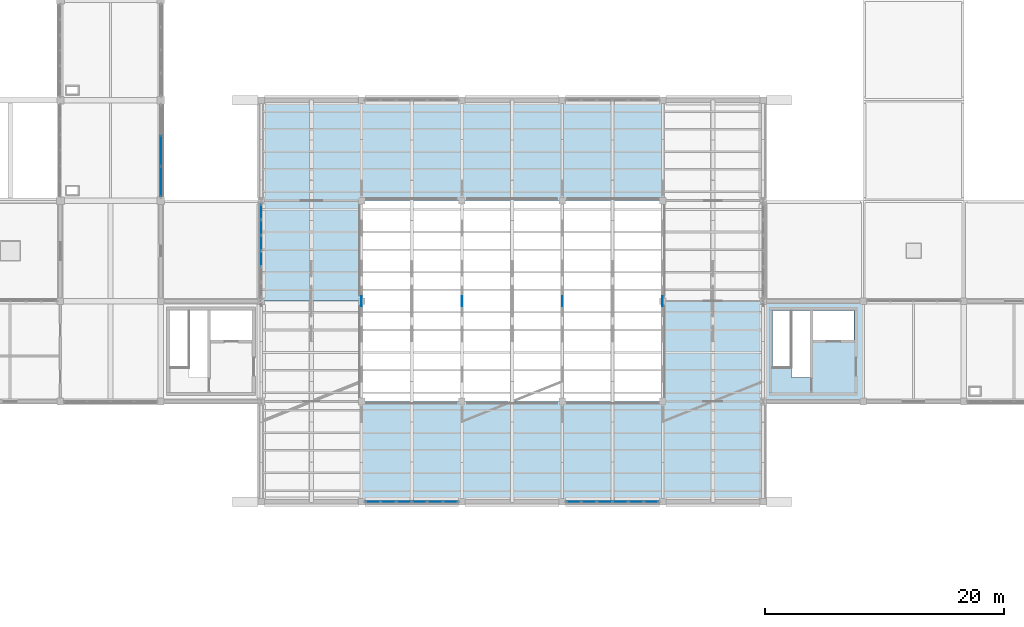
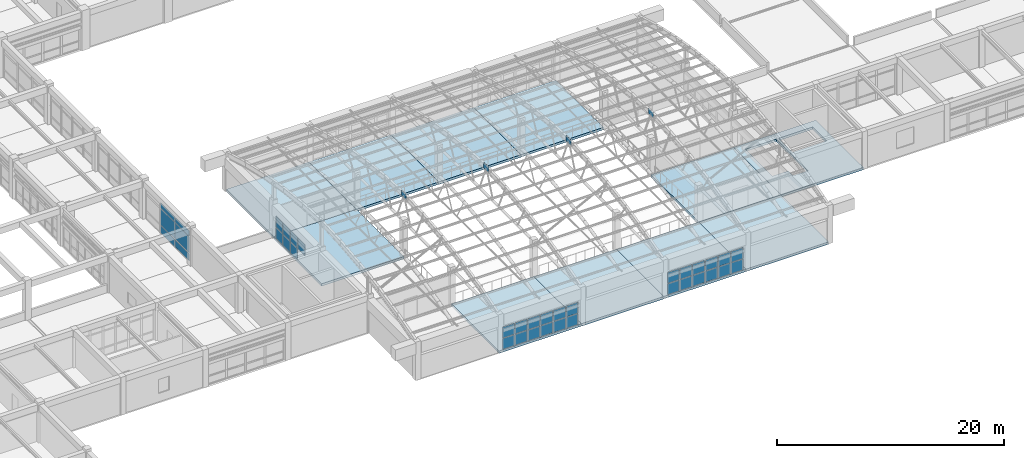
# One storey, part 49 of 74: 41 plates, 11 slabs, 4 elements without a shape of their own.
"""IFC4 building model written with IfcOpenShell, lengths in metres."""

from ifc_helpers import new_model, si_unit, direction, frame, origin, origin_2d, place, context, subcontext, project, spatial, polyline, rectangle, outline, extrude, material, layer, layer_set, type_object, element, aggregate, save


model = new_model("IFC4")

# Units and contexts
model_context = context("Model", 3, precision=1e-05, world=origin(), true_north=direction((0.0, 1.0)))
body_context = subcontext(model_context, "Body", "Model", "MODEL_VIEW")
ifc_project = project(units=[si_unit("LENGTHUNIT", "METRE"), si_unit("AREAUNIT", "SQUARE_METRE"), si_unit("VOLUMEUNIT", "CUBIC_METRE"), si_unit("PLANEANGLEUNIT", "RADIAN"), si_unit("MASSUNIT", "GRAM", prefix="KILO")], contexts=[model_context])

# Site, building, storey
site_placement = place(None, origin())
site = spatial("IfcSite", under=ifc_project, at=site_placement, CompositionType="ELEMENT")
building_placement = place(site_placement, origin())
building = spatial("IfcBuilding", under=site, at=building_placement, Name="Porcellanite Civic Hall", CompositionType="ELEMENT")
storey_placement = place(building_placement, frame((0.0, 0.0, 14.760009765625)))
storey = spatial("IfcBuildingStorey", under=building, at=storey_placement, Name="L03", CompositionType="ELEMENT", Elevation=14.760009765625)

# Curtain wall, plates
ifc_material_1 = material(Name="Anodised aluminium and solar laminated glass", Category="aluminium")
ifc_layer_1 = layer(ifc_material_1, 0.179931640625)
ifc_layer_set_1 = layer_set([ifc_layer_1], Name="Anodised aluminium and solar laminated glass")
curtain_wall_type_1 = type_object("IfcCurtainWallType", Name="CW-SYS01", PredefinedType="NOTDEFINED", material=ifc_layer_set_1)
curtain_wall_1_placement = place(storey_placement, origin())
curtain_wall_1 = element("IfcCurtainWall", 1, at=curtain_wall_1_placement, inside=storey, type_object=curtain_wall_type_1, Name="Curtain wall CW-206", PredefinedType="NOTDEFINED")
ifc_material_2 = material(Name="Cyclone laminated solar-control low-E glass", Category="glass")
ifc_layer_2 = layer(ifc_material_2, 0.02392578125)
ifc_layer_set_2 = layer_set([ifc_layer_2], Name="Cyclone laminated solar-control low-E glass")
plate_type_1 = type_object("IfcPlateType", Name="CWP-01", PredefinedType="CURTAIN_PANEL", material=ifc_layer_set_2)
plate_1_placement = place(storey_placement, frame((67.199951171875, 62.345947265625, 1.294921875), z_axis=(0.0, 0.0, 1.0), x_axis=(0.0, 1.0, 0.0)))
plate_1 = element("IfcPlate", 2, at=plate_1_placement, type_object=plate_type_1, Name="CW-206 panel 3.2", PredefinedType="CURTAIN_PANEL", context=body_context, shape_type="SweptSolid", body=[
    extrude(rectangle(XDim=1.22802734375, YDim=0.02392578125, at=origin_2d()), origin(), (0.0, 0.0, 1.0), 1.155029296875),
])
plate_2_placement = place(storey_placement, frame((67.199951171875, 63.654052734375, 0.06982421875), z_axis=(0.0, 0.0, 1.0), x_axis=(0.0, 1.0, 0.0)))
plate_2 = element("IfcPlate", 3, at=plate_2_placement, type_object=plate_type_1, Name="CW-206 panel 4.1", PredefinedType="CURTAIN_PANEL", context=body_context, shape_type="SweptSolid", body=[
    extrude(rectangle(XDim=1.22802734375, YDim=0.02392578125, at=origin_2d()), origin(), (0.0, 0.0, 1.0), 1.155029296875),
])
plate_3_placement = place(storey_placement, frame((67.199951171875, 63.654052734375, 1.294921875), z_axis=(0.0, 0.0, 1.0), x_axis=(0.0, 1.0, 0.0)))
plate_3 = element("IfcPlate", 4, at=plate_3_placement, type_object=plate_type_1, Name="CW-206 panel 4.2", PredefinedType="CURTAIN_PANEL", context=body_context, shape_type="SweptSolid", body=[
    extrude(rectangle(XDim=1.22802734375, YDim=0.02392578125, at=origin_2d()), origin(), (0.0, 0.0, 1.0), 1.155029296875),
])
plate_4_placement = place(storey_placement, frame((67.199951171875, 64.9619140625, 0.06982421875), z_axis=(0.0, 0.0, 1.0), x_axis=(0.0, 1.0, 0.0)))
plate_4 = element("IfcPlate", 5, at=plate_4_placement, type_object=plate_type_1, Name="CW-206 panel 5.1", PredefinedType="CURTAIN_PANEL", context=body_context, shape_type="SweptSolid", body=[
    extrude(rectangle(XDim=1.22802734375, YDim=0.02392578125, at=origin_2d()), origin(), (0.0, 0.0, 1.0), 1.155029296875),
])
plate_5_placement = place(storey_placement, frame((67.199951171875, 64.9619140625, 1.294921875), z_axis=(0.0, 0.0, 1.0), x_axis=(0.0, 1.0, 0.0)))
plate_5 = element("IfcPlate", 6, at=plate_5_placement, type_object=plate_type_1, Name="CW-206 panel 5.2", PredefinedType="CURTAIN_PANEL", context=body_context, shape_type="SweptSolid", body=[
    extrude(rectangle(XDim=1.22802734375, YDim=0.02392578125, at=origin_2d()), origin(), (0.0, 0.0, 1.0), 1.155029296875),
])
plate_6_placement = place(storey_placement, frame((67.199951171875, 66.25, 0.06982421875), z_axis=(0.0, 0.0, 1.0), x_axis=(0.0, 1.0, 0.0)))
plate_6 = element("IfcPlate", 7, at=plate_6_placement, type_object=plate_type_1, Name="CW-206 panel 6.1", PredefinedType="CURTAIN_PANEL", context=body_context, shape_type="SweptSolid", body=[
    extrude(rectangle(XDim=1.18798828125, YDim=0.02392578125, at=origin_2d()), origin(), (0.0, 0.0, 1.0), 1.155029296875),
])
plate_7_placement = place(storey_placement, frame((67.199951171875, 66.25, 1.294921875), z_axis=(0.0, 0.0, 1.0), x_axis=(0.0, 1.0, 0.0)))
plate_7 = element("IfcPlate", 8, at=plate_7_placement, type_object=plate_type_1, Name="CW-206 panel 6.2", PredefinedType="CURTAIN_PANEL", context=body_context, shape_type="SweptSolid", body=[
    extrude(rectangle(XDim=1.18798828125, YDim=0.02392578125, at=origin_2d()), origin(), (0.0, 0.0, 1.0), 1.155029296875),
])
aggregate(curtain_wall_1, [plate_1, plate_2, plate_3, plate_4, plate_5, plate_6, plate_7])

curtain_wall_2_placement = place(storey_placement, origin())
curtain_wall_2 = element("IfcCurtainWall", 9, at=curtain_wall_2_placement, inside=storey, type_object=curtain_wall_type_1, Name="Curtain wall CW-207", PredefinedType="NOTDEFINED")
plate_8_placement = place(storey_placement, frame((83.050048828125, 42.0, 0.06982421875), z_axis=(0.0, 0.0, 1.0), x_axis=(-1.0, 0.0, 0.0)))
plate_8 = element("IfcPlate", 10, at=plate_8_placement, type_object=plate_type_1, Name="CW-207 panel 1.1", PredefinedType="CURTAIN_PANEL", context=body_context, shape_type="SweptSolid", body=[
    extrude(rectangle(XDim=1.18798828125, YDim=0.02392578125, at=origin_2d()), origin(), (0.0, 0.0, 1.0), 1.155029296875),
])
plate_9_placement = place(storey_placement, frame((83.050048828125, 42.0, 1.294921875), z_axis=(0.0, 0.0, 1.0), x_axis=(-1.0, 0.0, 0.0)))
plate_9 = element("IfcPlate", 11, at=plate_9_placement, type_object=plate_type_1, Name="CW-207 panel 1.2", PredefinedType="CURTAIN_PANEL", context=body_context, shape_type="SweptSolid", body=[
    extrude(rectangle(XDim=1.18798828125, YDim=0.02392578125, at=origin_2d()), origin(), (0.0, 0.0, 1.0), 1.155029296875),
])
plate_10_placement = place(storey_placement, frame((81.761962890625, 42.0, 0.06982421875), z_axis=(0.0, 0.0, 1.0), x_axis=(-1.0, 0.0, 0.0)))
plate_10 = element("IfcPlate", 12, at=plate_10_placement, type_object=plate_type_1, Name="CW-207 panel 2.1", PredefinedType="CURTAIN_PANEL", context=body_context, shape_type="SweptSolid", body=[
    extrude(rectangle(XDim=1.22802734375, YDim=0.02392578125, at=origin_2d()), origin(), (0.0, 0.0, 1.0), 1.155029296875),
])
plate_11_placement = place(storey_placement, frame((81.761962890625, 42.0, 1.294921875), z_axis=(0.0, 0.0, 1.0), x_axis=(-1.0, 0.0, 0.0)))
plate_11 = element("IfcPlate", 13, at=plate_11_placement, type_object=plate_type_1, Name="CW-207 panel 2.2", PredefinedType="CURTAIN_PANEL", context=body_context, shape_type="SweptSolid", body=[
    extrude(rectangle(XDim=1.22802734375, YDim=0.02392578125, at=origin_2d()), origin(), (0.0, 0.0, 1.0), 1.155029296875),
])
plate_12_placement = place(storey_placement, frame((80.4541015625, 42.0, 0.06982421875), z_axis=(0.0, 0.0, 1.0), x_axis=(-1.0, 0.0, 0.0)))
plate_12 = element("IfcPlate", 14, at=plate_12_placement, type_object=plate_type_1, Name="CW-207 panel 3.1", PredefinedType="CURTAIN_PANEL", context=body_context, shape_type="SweptSolid", body=[
    extrude(rectangle(XDim=1.22802734375, YDim=0.02392578125, at=origin_2d()), origin(), (0.0, 0.0, 1.0), 1.155029296875),
])
plate_13_placement = place(storey_placement, frame((80.4541015625, 42.0, 1.294921875), z_axis=(0.0, 0.0, 1.0), x_axis=(-1.0, 0.0, 0.0)))
plate_13 = element("IfcPlate", 15, at=plate_13_placement, type_object=plate_type_1, Name="CW-207 panel 3.2", PredefinedType="CURTAIN_PANEL", context=body_context, shape_type="SweptSolid", body=[
    extrude(rectangle(XDim=1.22802734375, YDim=0.02392578125, at=origin_2d()), origin(), (0.0, 0.0, 1.0), 1.155029296875),
])
plate_14_placement = place(storey_placement, frame((79.14599609375, 42.0, 0.06982421875), z_axis=(0.0, 0.0, 1.0), x_axis=(-1.0, 0.0, 0.0)))
plate_14 = element("IfcPlate", 16, at=plate_14_placement, type_object=plate_type_1, Name="CW-207 panel 4.1", PredefinedType="CURTAIN_PANEL", context=body_context, shape_type="SweptSolid", body=[
    extrude(rectangle(XDim=1.22802734375, YDim=0.02392578125, at=origin_2d()), origin(), (0.0, 0.0, 1.0), 1.155029296875),
])
plate_15_placement = place(storey_placement, frame((79.14599609375, 42.0, 1.294921875), z_axis=(0.0, 0.0, 1.0), x_axis=(-1.0, 0.0, 0.0)))
plate_15 = element("IfcPlate", 17, at=plate_15_placement, type_object=plate_type_1, Name="CW-207 panel 4.2", PredefinedType="CURTAIN_PANEL", context=body_context, shape_type="SweptSolid", body=[
    extrude(rectangle(XDim=1.22802734375, YDim=0.02392578125, at=origin_2d()), origin(), (0.0, 0.0, 1.0), 1.155029296875),
])
plate_16_placement = place(storey_placement, frame((77.837890625, 42.0, 0.06982421875), z_axis=(0.0, 0.0, 1.0), x_axis=(-1.0, 0.0, 0.0)))
plate_16 = element("IfcPlate", 18, at=plate_16_placement, type_object=plate_type_1, Name="CW-207 panel 5.1", PredefinedType="CURTAIN_PANEL", context=body_context, shape_type="SweptSolid", body=[
    extrude(rectangle(XDim=1.22802734375, YDim=0.02392578125, at=origin_2d()), origin(), (0.0, 0.0, 1.0), 1.155029296875),
])
plate_17_placement = place(storey_placement, frame((77.837890625, 42.0, 1.294921875), z_axis=(0.0, 0.0, 1.0), x_axis=(-1.0, 0.0, 0.0)))
plate_17 = element("IfcPlate", 19, at=plate_17_placement, type_object=plate_type_1, Name="CW-207 panel 5.2", PredefinedType="CURTAIN_PANEL", context=body_context, shape_type="SweptSolid", body=[
    extrude(rectangle(XDim=1.22802734375, YDim=0.02392578125, at=origin_2d()), origin(), (0.0, 0.0, 1.0), 1.155029296875),
])
plate_18_placement = place(storey_placement, frame((76.550048828125, 42.0, 0.06982421875), z_axis=(0.0, 0.0, 1.0), x_axis=(-1.0, 0.0, 0.0)))
plate_18 = element("IfcPlate", 20, at=plate_18_placement, type_object=plate_type_1, Name="CW-207 panel 6.1", PredefinedType="CURTAIN_PANEL", context=body_context, shape_type="SweptSolid", body=[
    extrude(rectangle(XDim=1.18798828125, YDim=0.02392578125, at=origin_2d()), origin(), (0.0, 0.0, 1.0), 1.155029296875),
])
plate_19_placement = place(storey_placement, frame((76.550048828125, 42.0, 1.294921875), z_axis=(0.0, 0.0, 1.0), x_axis=(-1.0, 0.0, 0.0)))
plate_19 = element("IfcPlate", 21, at=plate_19_placement, type_object=plate_type_1, Name="CW-207 panel 6.2", PredefinedType="CURTAIN_PANEL", context=body_context, shape_type="SweptSolid", body=[
    extrude(rectangle(XDim=1.18798828125, YDim=0.02392578125, at=origin_2d()), origin(), (0.0, 0.0, 1.0), 1.155029296875),
])
aggregate(curtain_wall_2, [plate_8, plate_9, plate_10, plate_11, plate_12, plate_13, plate_14, plate_15, plate_16, plate_17, plate_18, plate_19])

curtain_wall_3_placement = place(storey_placement, origin())
curtain_wall_3 = element("IfcCurtainWall", 22, at=curtain_wall_3_placement, inside=storey, type_object=curtain_wall_type_1, Name="Curtain wall CW-210", PredefinedType="NOTDEFINED")
plate_20_placement = place(storey_placement, frame((99.85009765625, 42.0, 0.06982421875), z_axis=(0.0, 0.0, 1.0), x_axis=(-1.0, 0.0, 0.0)))
plate_20 = element("IfcPlate", 23, at=plate_20_placement, type_object=plate_type_1, Name="CW-210 panel 1.1", PredefinedType="CURTAIN_PANEL", context=body_context, shape_type="SweptSolid", body=[
    extrude(rectangle(XDim=1.18798828125, YDim=0.02392578125, at=origin_2d()), origin(), (0.0, 0.0, 1.0), 1.155029296875),
])
plate_21_placement = place(storey_placement, frame((99.85009765625, 42.0, 1.294921875), z_axis=(0.0, 0.0, 1.0), x_axis=(-1.0, 0.0, 0.0)))
plate_21 = element("IfcPlate", 24, at=plate_21_placement, type_object=plate_type_1, Name="CW-210 panel 1.2", PredefinedType="CURTAIN_PANEL", context=body_context, shape_type="SweptSolid", body=[
    extrude(rectangle(XDim=1.18798828125, YDim=0.02392578125, at=origin_2d()), origin(), (0.0, 0.0, 1.0), 1.155029296875),
])
plate_22_placement = place(storey_placement, frame((98.56201171875, 42.0, 0.06982421875), z_axis=(0.0, 0.0, 1.0), x_axis=(-1.0, 0.0, 0.0)))
plate_22 = element("IfcPlate", 25, at=plate_22_placement, type_object=plate_type_1, Name="CW-210 panel 2.1", PredefinedType="CURTAIN_PANEL", context=body_context, shape_type="SweptSolid", body=[
    extrude(rectangle(XDim=1.22802734375, YDim=0.02392578125, at=origin_2d()), origin(), (0.0, 0.0, 1.0), 1.155029296875),
])
plate_23_placement = place(storey_placement, frame((98.56201171875, 42.0, 1.294921875), z_axis=(0.0, 0.0, 1.0), x_axis=(-1.0, 0.0, 0.0)))
plate_23 = element("IfcPlate", 26, at=plate_23_placement, type_object=plate_type_1, Name="CW-210 panel 2.2", PredefinedType="CURTAIN_PANEL", context=body_context, shape_type="SweptSolid", body=[
    extrude(rectangle(XDim=1.22802734375, YDim=0.02392578125, at=origin_2d()), origin(), (0.0, 0.0, 1.0), 1.155029296875),
])
plate_24_placement = place(storey_placement, frame((97.25390625, 42.0, 0.06982421875), z_axis=(0.0, 0.0, 1.0), x_axis=(-1.0, 0.0, 0.0)))
plate_24 = element("IfcPlate", 27, at=plate_24_placement, type_object=plate_type_1, Name="CW-210 panel 3.1", PredefinedType="CURTAIN_PANEL", context=body_context, shape_type="SweptSolid", body=[
    extrude(rectangle(XDim=1.22802734375, YDim=0.02392578125, at=origin_2d()), origin(), (0.0, 0.0, 1.0), 1.155029296875),
])
plate_25_placement = place(storey_placement, frame((97.25390625, 42.0, 1.294921875), z_axis=(0.0, 0.0, 1.0), x_axis=(-1.0, 0.0, 0.0)))
plate_25 = element("IfcPlate", 28, at=plate_25_placement, type_object=plate_type_1, Name="CW-210 panel 3.2", PredefinedType="CURTAIN_PANEL", context=body_context, shape_type="SweptSolid", body=[
    extrude(rectangle(XDim=1.22802734375, YDim=0.02392578125, at=origin_2d()), origin(), (0.0, 0.0, 1.0), 1.155029296875),
])
plate_26_placement = place(storey_placement, frame((95.946044921875, 42.0, 0.06982421875), z_axis=(0.0, 0.0, 1.0), x_axis=(-1.0, 0.0, 0.0)))
plate_26 = element("IfcPlate", 29, at=plate_26_placement, type_object=plate_type_1, Name="CW-210 panel 4.1", PredefinedType="CURTAIN_PANEL", context=body_context, shape_type="SweptSolid", body=[
    extrude(rectangle(XDim=1.22802734375, YDim=0.02392578125, at=origin_2d()), origin(), (0.0, 0.0, 1.0), 1.155029296875),
])
plate_27_placement = place(storey_placement, frame((95.946044921875, 42.0, 1.294921875), z_axis=(0.0, 0.0, 1.0), x_axis=(-1.0, 0.0, 0.0)))
plate_27 = element("IfcPlate", 30, at=plate_27_placement, type_object=plate_type_1, Name="CW-210 panel 4.2", PredefinedType="CURTAIN_PANEL", context=body_context, shape_type="SweptSolid", body=[
    extrude(rectangle(XDim=1.22802734375, YDim=0.02392578125, at=origin_2d()), origin(), (0.0, 0.0, 1.0), 1.155029296875),
])
plate_28_placement = place(storey_placement, frame((94.637939453125, 42.0, 0.06982421875), z_axis=(0.0, 0.0, 1.0), x_axis=(-1.0, 0.0, 0.0)))
plate_28 = element("IfcPlate", 31, at=plate_28_placement, type_object=plate_type_1, Name="CW-210 panel 5.1", PredefinedType="CURTAIN_PANEL", context=body_context, shape_type="SweptSolid", body=[
    extrude(rectangle(XDim=1.22802734375, YDim=0.02392578125, at=origin_2d()), origin(), (0.0, 0.0, 1.0), 1.155029296875),
])
plate_29_placement = place(storey_placement, frame((94.637939453125, 42.0, 1.294921875), z_axis=(0.0, 0.0, 1.0), x_axis=(-1.0, 0.0, 0.0)))
plate_29 = element("IfcPlate", 32, at=plate_29_placement, type_object=plate_type_1, Name="CW-210 panel 5.2", PredefinedType="CURTAIN_PANEL", context=body_context, shape_type="SweptSolid", body=[
    extrude(rectangle(XDim=1.22802734375, YDim=0.02392578125, at=origin_2d()), origin(), (0.0, 0.0, 1.0), 1.155029296875),
])
plate_30_placement = place(storey_placement, frame((93.35009765625, 42.0, 0.06982421875), z_axis=(0.0, 0.0, 1.0), x_axis=(-1.0, 0.0, 0.0)))
plate_30 = element("IfcPlate", 33, at=plate_30_placement, type_object=plate_type_1, Name="CW-210 panel 6.1", PredefinedType="CURTAIN_PANEL", context=body_context, shape_type="SweptSolid", body=[
    extrude(rectangle(XDim=1.18798828125, YDim=0.02392578125, at=origin_2d()), origin(), (0.0, 0.0, 1.0), 1.155029296875),
])
plate_31_placement = place(storey_placement, frame((93.35009765625, 42.0, 1.294921875), z_axis=(0.0, 0.0, 1.0), x_axis=(-1.0, 0.0, 0.0)))
plate_31 = element("IfcPlate", 34, at=plate_31_placement, type_object=plate_type_1, Name="CW-210 panel 6.2", PredefinedType="CURTAIN_PANEL", context=body_context, shape_type="SweptSolid", body=[
    extrude(rectangle(XDim=1.18798828125, YDim=0.02392578125, at=origin_2d()), origin(), (0.0, 0.0, 1.0), 1.155029296875),
])
aggregate(curtain_wall_3, [plate_20, plate_21, plate_22, plate_23, plate_24, plate_25, plate_26, plate_27, plate_28, plate_29, plate_30, plate_31])

ifc_material_3 = material(Name="Anodised aluminium and solar laminated glass", Category="aluminium")
ifc_layer_3 = layer(ifc_material_3, 0.179931640625)
ifc_layer_set_3 = layer_set([ifc_layer_3], Name="Anodised aluminium and solar laminated glass")
curtain_wall_type_2 = type_object("IfcCurtainWallType", Name="CW-SYS08", PredefinedType="NOTDEFINED", material=ifc_layer_set_3)
curtain_wall_4_placement = place(storey_placement, origin())
curtain_wall_4 = element("IfcCurtainWall", 35, at=curtain_wall_4_placement, inside=storey, type_object=curtain_wall_type_2, Name="Curtain wall CW-196", PredefinedType="NOTDEFINED")
ifc_material_4 = material(Name="Cyclone laminated solar-control low-E glass", Category="glass")
ifc_layer_4 = layer(ifc_material_4, 0.035888671875)
ifc_layer_set_4 = layer_set([ifc_layer_4], Name="Cyclone laminated solar-control low-E glass")
plate_type_2 = type_object("IfcPlateType", Name="CWP-07", PredefinedType="CURTAIN_PANEL", material=ifc_layer_set_4)
plate_32_placement = place(storey_placement, frame((58.800048828125, 71.387451171875, 0.070068359375), z_axis=(0.0, 0.0, 1.0), x_axis=(0.0, -1.0, 0.0)))
plate_32 = element("IfcPlate", 36, at=plate_32_placement, type_object=plate_type_2, Name="CW-196 panel 2.1", PredefinedType="CURTAIN_PANEL", context=body_context, shape_type="SweptSolid", body=[
    extrude(rectangle(XDim=2.510986328125, YDim=0.035888671875, at=origin_2d()), origin(), (0.0, 0.0, 1.0), 0.794921875),
])
plate_33_placement = place(storey_placement, frame((58.800048828125, 71.387451171875, 0.93505859375), z_axis=(0.0, 0.0, 1.0), x_axis=(0.0, -1.0, 0.0)))
plate_33 = element("IfcPlate", 37, at=plate_33_placement, type_object=plate_type_2, Name="CW-196 panel 2.2", PredefinedType="CURTAIN_PANEL", context=body_context, shape_type="SweptSolid", body=[
    extrude(rectangle(XDim=2.510986328125, YDim=0.035888671875, at=origin_2d()), origin(), (0.0, 0.0, 1.0), 1.75),
])
plate_34_placement = place(storey_placement, frame((58.800048828125, 71.387451171875, 2.755126953125), z_axis=(0.0, 0.0, 1.0), x_axis=(0.0, -1.0, 0.0)))
plate_34 = element("IfcPlate", 38, at=plate_34_placement, type_object=plate_type_2, Name="CW-196 panel 2.3", PredefinedType="CURTAIN_PANEL", context=body_context, shape_type="SweptSolid", body=[
    extrude(rectangle(XDim=2.510986328125, YDim=0.035888671875, at=origin_2d()), origin(), (0.0, 0.0, 1.0), 0.544921875),
])
plate_35_placement = place(storey_placement, frame((58.800048828125, 68.81640625, 0.070068359375), z_axis=(0.0, 0.0, 1.0), x_axis=(0.0, -1.0, 0.0)))
plate_35 = element("IfcPlate", 39, at=plate_35_placement, type_object=plate_type_2, Name="CW-196 panel 3.1", PredefinedType="CURTAIN_PANEL", context=body_context, shape_type="SweptSolid", body=[
    extrude(rectangle(XDim=2.470947265625, YDim=0.035888671875, at=origin_2d()), origin(), (0.0, 0.0, 1.0), 0.794921875),
])
plate_36_placement = place(storey_placement, frame((58.800048828125, 68.81640625, 0.93505859375), z_axis=(0.0, 0.0, 1.0), x_axis=(0.0, -1.0, 0.0)))
plate_36 = element("IfcPlate", 40, at=plate_36_placement, type_object=plate_type_2, Name="CW-196 panel 3.2", PredefinedType="CURTAIN_PANEL", context=body_context, shape_type="SweptSolid", body=[
    extrude(rectangle(XDim=2.470947265625, YDim=0.035888671875, at=origin_2d()), origin(), (0.0, 0.0, 1.0), 1.75),
])
plate_37_placement = place(storey_placement, frame((58.800048828125, 68.81640625, 2.755126953125), z_axis=(0.0, 0.0, 1.0), x_axis=(0.0, -1.0, 0.0)))
plate_37 = element("IfcPlate", 41, at=plate_37_placement, type_object=plate_type_2, Name="CW-196 panel 3.3", PredefinedType="CURTAIN_PANEL", context=body_context, shape_type="SweptSolid", body=[
    extrude(rectangle(XDim=2.470947265625, YDim=0.035888671875, at=origin_2d()), origin(), (0.0, 0.0, 1.0), 0.544921875),
])
aggregate(curtain_wall_4, [plate_32, plate_33, plate_34, plate_35, plate_36, plate_37])

# Plates
ifc_material_5 = material(Name="Steel Grade 350", Category="steel")
ifc_layer_5 = layer(ifc_material_5, 0.031982421875)
ifc_layer_set_5 = layer_set([ifc_layer_5], Name="Steel Grade 350")
plate_type_3 = type_object("IfcPlateType", Name="PL-GUS4", PredefinedType="SHEET", material=ifc_layer_set_5)
for number, where, z_axis, x_axis, name in (
    (42, (75.60009765625, 58.800048828125, 6.357666015625), (0.0, 0.0, 1.0), (1.0, 0.0, 0.0), "Chamber arch crown plate 9"),
    (43, (84.0, 58.800048828125, 6.357666015625), (0.0, 0.0, 1.0), (1.0, 0.0, 0.0), "Chamber arch crown plate 10"),
    (44, (92.39990234375, 58.800048828125, 6.357666015625), (0.0, 0.0, 1.0), (1.0, 0.0, 0.0), "Chamber arch crown plate 11"),
    (45, (100.800048828125, 58.800048828125, 6.357666015625), (0.0, 0.0, 1.0), (1.0, 0.0, 0.0), "Chamber arch crown plate 12"),
):
    element("IfcPlate", number, at=place(storey_placement, frame(where, z_axis=z_axis, x_axis=x_axis)), inside=storey, type_object=plate_type_3, Name=name, PredefinedType="SHEET", context=body_context, shape_type="SweptSolid", body=[
        extrude(rectangle(XDim=0.031982421875, YDim=0.85009765625, at=origin_2d()), origin(), (0.0, 0.0, 1.0), 0.580078125),
    ])

# Slabs
ifc_material_6 = material(Name="Concrete N40 (40 MPa)", Category="concrete")
ifc_layer_6 = layer(ifc_material_6, 0.25)
ifc_layer_set_6 = layer_set([ifc_layer_6], Name="Concrete N40 (40 MPa)")
slab_type_1 = type_object("IfcSlabType", Name="SL-FL250", PredefinedType="FLOOR", material=ifc_layer_set_6)
slab_1_placement = place(storey_placement, frame((0.0, 0.0, -0.25)))
element("IfcSlab", 46, at=slab_1_placement, inside=storey, type_object=slab_type_1, Name="Slab L03 bay 9-9", PredefinedType="FLOOR", context=body_context, shape_type="SweptSolid", body=[
    extrude(outline(polyline([(67.199951171875, 67.199951171875), (75.60009765625, 67.199951171875), (75.60009765625, 75.60009765625), (67.199951171875, 75.60009765625), (67.199951171875, 67.199951171875)])), origin(), (0.0, 0.0, 1.0), 0.25),
])
slab_2_placement = place(storey_placement, frame((0.0, 0.0, -0.25)))
element("IfcSlab", 47, at=slab_2_placement, inside=storey, type_object=slab_type_1, Name="Slab L03 bay 10-6", PredefinedType="FLOOR", context=body_context, shape_type="SweptSolid", body=[
    extrude(outline(polyline([(75.60009765625, 42.0), (84.0, 42.0), (84.0, 50.39990234375), (75.60009765625, 50.39990234375), (75.60009765625, 42.0)])), origin(), (0.0, 0.0, 1.0), 0.25),
])
slab_3_placement = place(storey_placement, frame((0.0, 0.0, -0.25)))
element("IfcSlab", 48, at=slab_3_placement, inside=storey, type_object=slab_type_1, Name="Slab L03 bay 10-9", PredefinedType="FLOOR", context=body_context, shape_type="SweptSolid", body=[
    extrude(outline(polyline([(75.60009765625, 67.199951171875), (84.0, 67.199951171875), (84.0, 75.60009765625), (75.60009765625, 75.60009765625), (75.60009765625, 67.199951171875)])), origin(), (0.0, 0.0, 1.0), 0.25),
])
slab_4_placement = place(storey_placement, frame((0.0, 0.0, -0.25)))
element("IfcSlab", 49, at=slab_4_placement, inside=storey, type_object=slab_type_1, Name="Slab L03 bay 12-6", PredefinedType="FLOOR", context=body_context, shape_type="SweptSolid", body=[
    extrude(outline(polyline([(92.39990234375, 42.0), (100.800048828125, 42.0), (100.800048828125, 50.39990234375), (92.39990234375, 50.39990234375), (92.39990234375, 42.0)])), origin(), (0.0, 0.0, 1.0), 0.25),
])
slab_5_placement = place(storey_placement, frame((0.0, 0.0, -0.25)))
element("IfcSlab", 50, at=slab_5_placement, inside=storey, type_object=slab_type_1, Name="Slab L03 bay 12-9", PredefinedType="FLOOR", context=body_context, shape_type="SweptSolid", body=[
    extrude(outline(polyline([(92.39990234375, 67.199951171875), (100.800048828125, 67.199951171875), (100.800048828125, 75.60009765625), (92.39990234375, 75.60009765625), (92.39990234375, 67.199951171875)])), origin(), (0.0, 0.0, 1.0), 0.25),
])
slab_6_placement = place(storey_placement, frame((0.0, 0.0, -0.25)))
element("IfcSlab", 51, at=slab_6_placement, inside=storey, type_object=slab_type_1, Name="Slab L03 bay 13-6", PredefinedType="FLOOR", context=body_context, shape_type="SweptSolid", body=[
    extrude(outline(polyline([(100.800048828125, 42.0), (109.199951171875, 42.0), (109.199951171875, 50.39990234375), (100.800048828125, 50.39990234375), (100.800048828125, 42.0)])), origin(), (0.0, 0.0, 1.0), 0.25),
])
slab_7_placement = place(storey_placement, frame((0.0, 0.0, -0.25)))
element("IfcSlab", 52, at=slab_7_placement, inside=storey, type_object=slab_type_1, Name="Slab L03 bay 14-7", PredefinedType="FLOOR", context=body_context, shape_type="SweptSolid", body=[
    extrude(outline(polyline([(109.199951171875, 50.39990234375), (117.60009765625, 50.39990234375), (117.60009765625, 58.800048828125), (109.199951171875, 58.800048828125), (109.199951171875, 50.39990234375)]), holes=[polyline([(109.97998046875, 53.25), (111.56005859375, 53.25), (111.56005859375, 52.39990234375), (113.1201171875, 52.39990234375), (113.1201171875, 58.02001953125), (109.97998046875, 58.02001953125), (109.97998046875, 53.25)]), polyline([(113.360107421875, 55.5400390625), (116.820068359375, 55.5400390625), (116.820068359375, 58.02001953125), (113.360107421875, 58.02001953125), (113.360107421875, 55.5400390625)])]), origin(), (0.0, 0.0, 1.0), 0.25),
])
ifc_material_7 = material(Name="Concrete N40 (40 MPa)", Category="concrete")
ifc_layer_7 = layer(ifc_material_7, 0.260009765625)
ifc_layer_set_7 = layer_set([ifc_layer_7], Name="Concrete N40 (40 MPa)")
slab_type_2 = type_object("IfcSlabType", Name="SL-FL260", PredefinedType="FLOOR", material=ifc_layer_set_7)
slab_8_placement = place(storey_placement, frame((0.0, 0.0, -0.260009765625)))
element("IfcSlab", 53, at=slab_8_placement, inside=storey, type_object=slab_type_2, Name="Slab L03 bay 9-8", PredefinedType="FLOOR", context=body_context, shape_type="SweptSolid", body=[
    extrude(outline(polyline([(67.199951171875, 58.800048828125), (75.60009765625, 58.800048828125), (75.60009765625, 67.199951171875), (67.199951171875, 67.199951171875), (67.199951171875, 58.800048828125)])), origin(), (0.0, 0.0, 1.0), 0.260009765625),
])
slab_9_placement = place(storey_placement, frame((0.0, 0.0, -0.260009765625)))
element("IfcSlab", 54, at=slab_9_placement, inside=storey, type_object=slab_type_2, Name="Slab L03 bay 11-6", PredefinedType="FLOOR", context=body_context, shape_type="SweptSolid", body=[
    extrude(outline(polyline([(84.0, 42.0), (92.39990234375, 42.0), (92.39990234375, 50.39990234375), (84.0, 50.39990234375), (84.0, 42.0)])), origin(), (0.0, 0.0, 1.0), 0.260009765625),
])
slab_10_placement = place(storey_placement, frame((0.0, 0.0, -0.260009765625)))
element("IfcSlab", 55, at=slab_10_placement, inside=storey, type_object=slab_type_2, Name="Slab L03 bay 11-9", PredefinedType="FLOOR", context=body_context, shape_type="SweptSolid", body=[
    extrude(outline(polyline([(84.0, 67.199951171875), (92.39990234375, 67.199951171875), (92.39990234375, 75.60009765625), (84.0, 75.60009765625), (84.0, 67.199951171875)])), origin(), (0.0, 0.0, 1.0), 0.260009765625),
])
slab_11_placement = place(storey_placement, frame((0.0, 0.0, -0.260009765625)))
element("IfcSlab", 56, at=slab_11_placement, inside=storey, type_object=slab_type_2, Name="Slab L03 bay 13-7", PredefinedType="FLOOR", context=body_context, shape_type="SweptSolid", body=[
    extrude(outline(polyline([(100.800048828125, 50.39990234375), (109.199951171875, 50.39990234375), (109.199951171875, 58.800048828125), (100.800048828125, 58.800048828125), (100.800048828125, 50.39990234375)])), origin(), (0.0, 0.0, 1.0), 0.260009765625),
])

save(model, "model.ifc")
